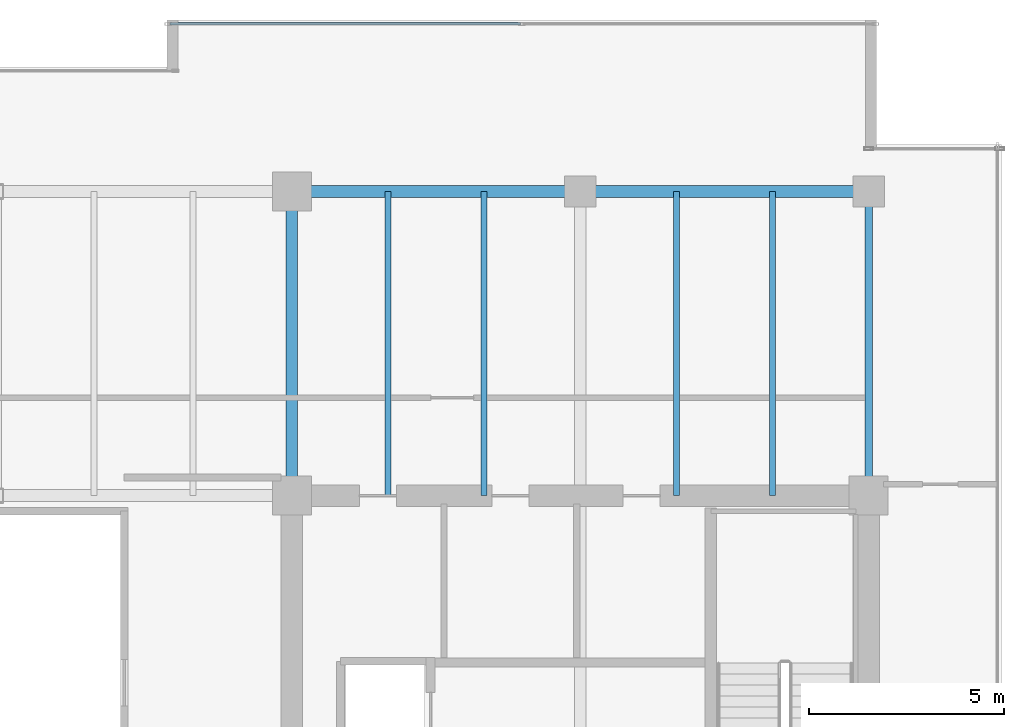
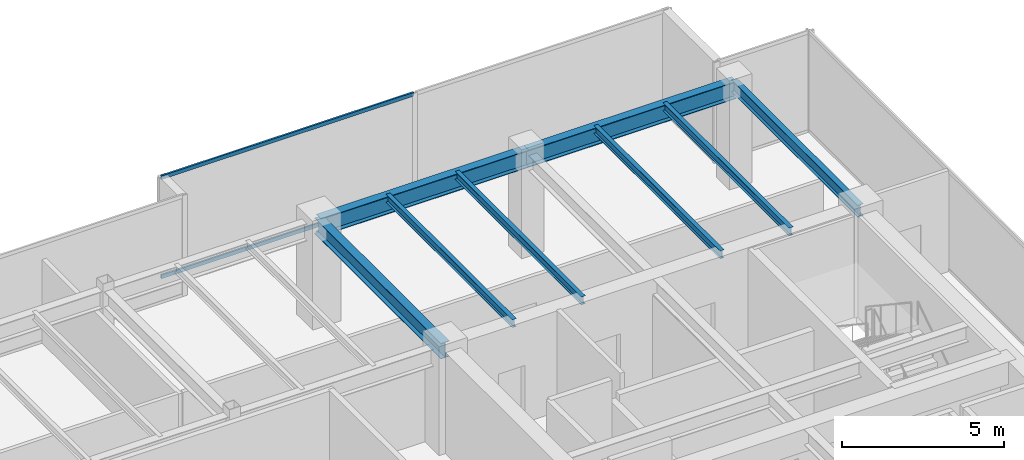
# One storey, part 20 of 33: 8 beams, 2 members, 1 element without a shape of its own.
"""IFC4 building model written with IfcOpenShell, lengths in metres."""

from ifc_helpers import new_model, si_unit, direction, frame, origin, origin_2d, place, context, subcontext, project, spatial, hollow_rectangle, i_section, extrude, source, transform, mapped, material, layer, layer_set, material_profile, profile_set, type_object, type_shapes, element, aggregate, save


model = new_model("IFC4")

# Units and contexts
model_context = context("Model", 3, precision=1e-05, world=origin(), true_north=direction((0.0, 1.0)))
body_context = subcontext(model_context, "Body", "Model", "MODEL_VIEW")
ifc_project = project(units=[si_unit("LENGTHUNIT", "METRE"), si_unit("AREAUNIT", "SQUARE_METRE"), si_unit("VOLUMEUNIT", "CUBIC_METRE"), si_unit("PLANEANGLEUNIT", "RADIAN"), si_unit("MASSUNIT", "GRAM", prefix="KILO")], contexts=[model_context])

# Site, building, storey
site_placement = place(None, origin())
site = spatial("IfcSite", under=ifc_project, at=site_placement, CompositionType="ELEMENT")
building_placement = place(site_placement, origin())
building = spatial("IfcBuilding", under=site, at=building_placement, Name="Haelvirn Gate Laboratories", CompositionType="ELEMENT")
storey_placement = place(building_placement, frame((0.0, 0.0, 238.300048828125)))
storey = spatial("IfcBuildingStorey", under=building, at=storey_placement, Name="L57", CompositionType="ELEMENT", Elevation=238.300048828125)

# Beams
ifc_material_1 = material(Name="Steel SM355", Category="steel")
ifc_material_profile_1 = material_profile(ifc_material_1, i_section(OverallWidth=0.14990234375, OverallDepth=0.300048828125, WebThickness=0.006591796875, FlangeThickness=0.009033203125, at=origin_2d()), Name="H-300x150x6.5x9")
ifc_profile_set_1 = profile_set([ifc_material_profile_1], Name="Steel SM355")
beam_type_1 = type_object("IfcBeamType", Name="BM-J-300", PredefinedType="JOIST", material=ifc_profile_set_1)
shared_shape_1 = source(origin(), body_context, "Body", "SweptSolid", [
    extrude(i_section(OverallWidth=0.14990234375, OverallDepth=0.300048828125, WebThickness=0.006591796875, FlangeThickness=0.009033203125, at=origin_2d()), origin(), (0.0, 0.0, 1.0), 7.800048828125),
])
type_shapes(beam_type_1, [shared_shape_1])
for number, where, z_axis, x_axis, name in (
    (1, (55.070068359375, 33.800048828125, 3.64990234375), (0.0, 1.0, 0.0), (-1.0, 0.0, 0.0), "L57 Composite Lab Joist North X55.07"),
    (2, (57.530029296875, 33.800048828125, 3.64990234375), (0.0, 1.0, 0.0), (-1.0, 0.0, 0.0), "L57 Composite Lab Joist North X57.53"),
    (3, (62.469970703125, 33.800048828125, 3.64990234375), (0.0, 1.0, 0.0), (-1.0, 0.0, 0.0), "L57 Composite Lab Joist North X62.47"),
    (4, (64.929931640625, 33.800048828125, 3.64990234375), (0.0, 1.0, 0.0), (-1.0, 0.0, 0.0), "L57 Composite Lab Joist North X64.93"),
):
    element("IfcBeam", number, at=place(storey_placement, frame(where, z_axis=z_axis, x_axis=x_axis)), inside=storey, type_object=beam_type_1, Name=name, PredefinedType="JOIST", context=body_context, shape_type="MappedRepresentation", body=[
        mapped(shared_shape_1, transform((0.0, 0.0, 0.0), scale=1.0)),
    ])
ifc_material_profile_2 = material_profile(ifc_material_1, i_section(OverallWidth=0.300048828125, OverallDepth=0.587890625, WebThickness=0.011962890625, FlangeThickness=0.02001953125, at=origin_2d()), Name="H-588x300x12x20")
ifc_profile_set_2 = profile_set([ifc_material_profile_2], Name="Steel SM355")
beam_type_2 = type_object("IfcBeamType", Name="BM-G-588", PredefinedType="BEAM", material=ifc_profile_set_2)
shared_shape_2 = source(origin(), body_context, "Body", "SweptSolid", [
    extrude(i_section(OverallWidth=0.300048828125, OverallDepth=0.587890625, WebThickness=0.011962890625, FlangeThickness=0.02001953125, at=origin_2d()), origin(), (0.0, 0.0, 1.0), 7.800048828125),
])
type_shapes(beam_type_2, [shared_shape_2])
beam_1_placement = place(storey_placement, frame((52.60009765625, 33.800048828125, 3.505859375), z_axis=(0.0, 1.0, 0.0), x_axis=(-1.0, 0.0, 0.0)))
element("IfcBeam", 5, at=beam_1_placement, inside=storey, type_object=beam_type_2, Name="L57 Frame Girder X52.6 (33.8-41.6)", PredefinedType="BEAM", context=body_context, shape_type="MappedRepresentation", body=[
    mapped(shared_shape_2, transform((0.0, 0.0, 0.0), scale=1.0)),
])
ifc_material_profile_3 = material_profile(ifc_material_1, i_section(OverallWidth=0.300048828125, OverallDepth=0.64990234375, WebThickness=0.012939453125, FlangeThickness=0.02197265625, at=origin_2d()), Name="H-650x300x13x22")
ifc_profile_set_3 = profile_set([ifc_material_profile_3], Name="Steel SM355")
beam_type_3 = type_object("IfcBeamType", Name="BM-G-650", PredefinedType="BEAM", material=ifc_profile_set_3)
shared_shape_3 = source(origin(), body_context, "Body", "SweptSolid", [
    extrude(i_section(OverallWidth=0.300048828125, OverallDepth=0.64990234375, WebThickness=0.012939453125, FlangeThickness=0.02197265625, at=origin_2d()), origin(), (0.0, 0.0, 1.0), 7.39990234375),
])
type_shapes(beam_type_3, [shared_shape_3])
for number, where, z_axis, x_axis, name in (
    (6, (52.60009765625, 41.60009765625, 3.474853515625), (1.0, 0.0, 0.0), (0.0, 1.0, 0.0), "L57 Primary Girder Y41.6 (52.6-60.0)"),
    (7, (60.0, 41.60009765625, 3.474853515625), (1.0, 0.0, 0.0), (0.0, 1.0, 0.0), "L57 Primary Girder Y41.6 (60.0-67.4)"),
):
    element("IfcBeam", number, at=place(storey_placement, frame(where, z_axis=z_axis, x_axis=x_axis)), inside=storey, type_object=beam_type_3, Name=name, PredefinedType="BEAM", context=body_context, shape_type="MappedRepresentation", body=[
        mapped(shared_shape_3, transform((0.0, 0.0, 0.0), scale=1.0)),
    ])
ifc_material_profile_4 = material_profile(ifc_material_1, i_section(OverallWidth=0.199951171875, OverallDepth=0.449951171875, WebThickness=0.009033203125, FlangeThickness=0.013916015625, at=origin_2d()), Name="H-450x200x9x14")
ifc_profile_set_4 = profile_set([ifc_material_profile_4], Name="Steel SM355")
beam_type_4 = type_object("IfcBeamType", Name="BM-SP-450", PredefinedType="SPANDREL", material=ifc_profile_set_4)
shared_shape_4 = source(origin(), body_context, "Body", "SweptSolid", [
    extrude(i_section(OverallWidth=0.199951171875, OverallDepth=0.449951171875, WebThickness=0.009033203125, FlangeThickness=0.013916015625, at=origin_2d()), origin(), (0.0, 0.0, 1.0), 7.800048828125),
])
type_shapes(beam_type_4, [shared_shape_4])
beam_2_placement = place(storey_placement, frame((67.39990234375, 33.800048828125, 3.574951171875), z_axis=(0.0, 1.0, 0.0), x_axis=(-1.0, 0.0, 0.0)))
element("IfcBeam", 8, at=beam_2_placement, inside=storey, type_object=beam_type_4, Name="L57 Perimeter Spandrel X67.4 (33.8-41.6)", PredefinedType="SPANDREL", context=body_context, shape_type="MappedRepresentation", body=[
    mapped(shared_shape_4, transform((0.0, 0.0, 0.0), scale=1.0)),
])

# Curtain wall, members
ifc_material_2 = material(Name="Anodised bronze unitised aluminium & triple low-E glass", Category="aluminium")
ifc_layer = layer(ifc_material_2, 0.176025390625, Name="CW-SYS-4")
ifc_layer_set = layer_set([ifc_layer], Name="Anodised bronze unitised aluminium & triple low-E glass")
curtain_wall_type = type_object("IfcCurtainWallType", Name="CW-SYS-4", PredefinedType="NOTDEFINED", material=ifc_layer_set)
curtain_wall_placement = place(storey_placement, origin())
curtain_wall = element("IfcCurtainWall", 9, at=curtain_wall_placement, inside=storey, type_object=curtain_wall_type, Name="L57 Unitised Curtain Wall CW-L57-P0-E10-1", PredefinedType="NOTDEFINED")
ifc_material_3 = material(Name="Extruded aluminium 6063-T6 (anodised bronze)", Category="aluminium")
ifc_material_profile_5 = material_profile(ifc_material_3, hollow_rectangle(XDim=0.06494140625, YDim=0.139892578125, WallThickness=0.00390625, at=origin_2d()), Name="CWT-140x65x4")
ifc_profile_set_5 = profile_set([ifc_material_profile_5], Name="Extruded aluminium 6063-T6 (anodised bronze)")
member_type = type_object("IfcMemberType", Name="CWT-T140", PredefinedType="USERDEFINED", material=ifc_profile_set_5)
shared_shape_5 = source(origin(), body_context, "Body", "SweptSolid", [
    extrude(hollow_rectangle(XDim=0.06494140625, YDim=0.139892578125, WallThickness=0.00390625, at=origin_2d()), origin(), (0.0, 0.0, 1.0), 8.9951171875),
])
type_shapes(member_type, [shared_shape_5])
member_1_placement = place(storey_placement, frame((49.469970703125, 45.89990234375, 0.032470703125), z_axis=(1.0, 0.0, 0.0), x_axis=(0.0, 1.0, 0.0)))
member_1 = element("IfcMember", 10, at=member_1_placement, type_object=member_type, Name="CW4 transom 1.1", ObjectType="TRANSOM", PredefinedType="USERDEFINED", context=body_context, shape_type="MappedRepresentation", body=[
    mapped(shared_shape_5, transform((0.0, 0.0, 0.0), scale=1.0)),
])
member_2_placement = place(storey_placement, frame((49.469970703125, 45.89990234375, 3.767333984375), z_axis=(1.0, 0.0, 0.0), x_axis=(0.0, 1.0, 0.0)))
member_2 = element("IfcMember", 11, at=member_2_placement, type_object=member_type, Name="CW4 transom 1.2", ObjectType="TRANSOM", PredefinedType="USERDEFINED", context=body_context, shape_type="MappedRepresentation", body=[
    mapped(shared_shape_5, transform((0.0, 0.0, 0.0), scale=1.0)),
])
aggregate(curtain_wall, [member_1, member_2])

save(model, "model.ifc")
